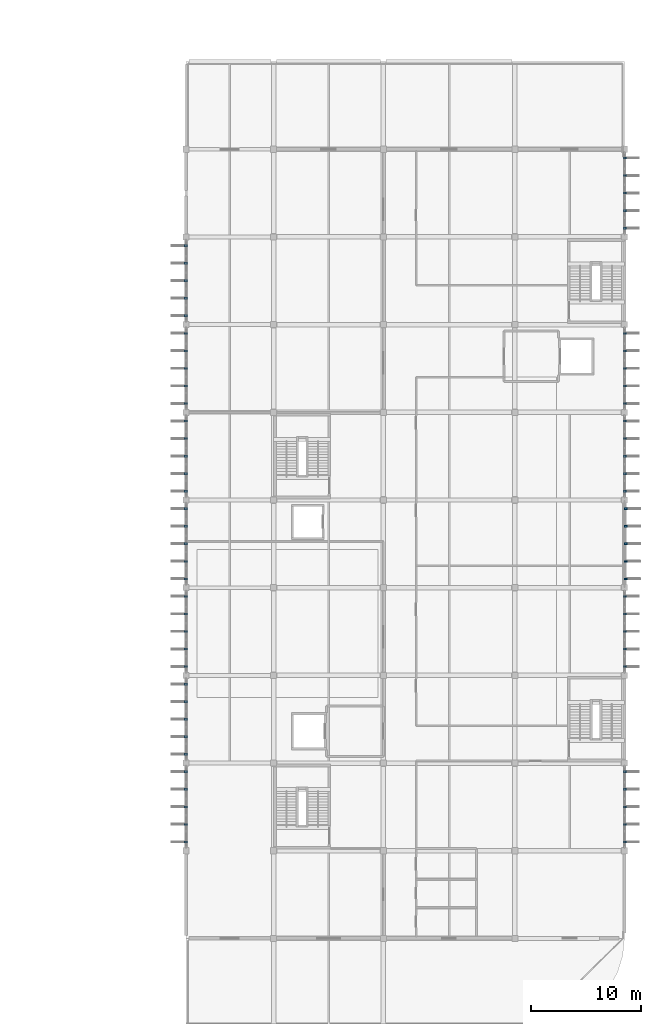
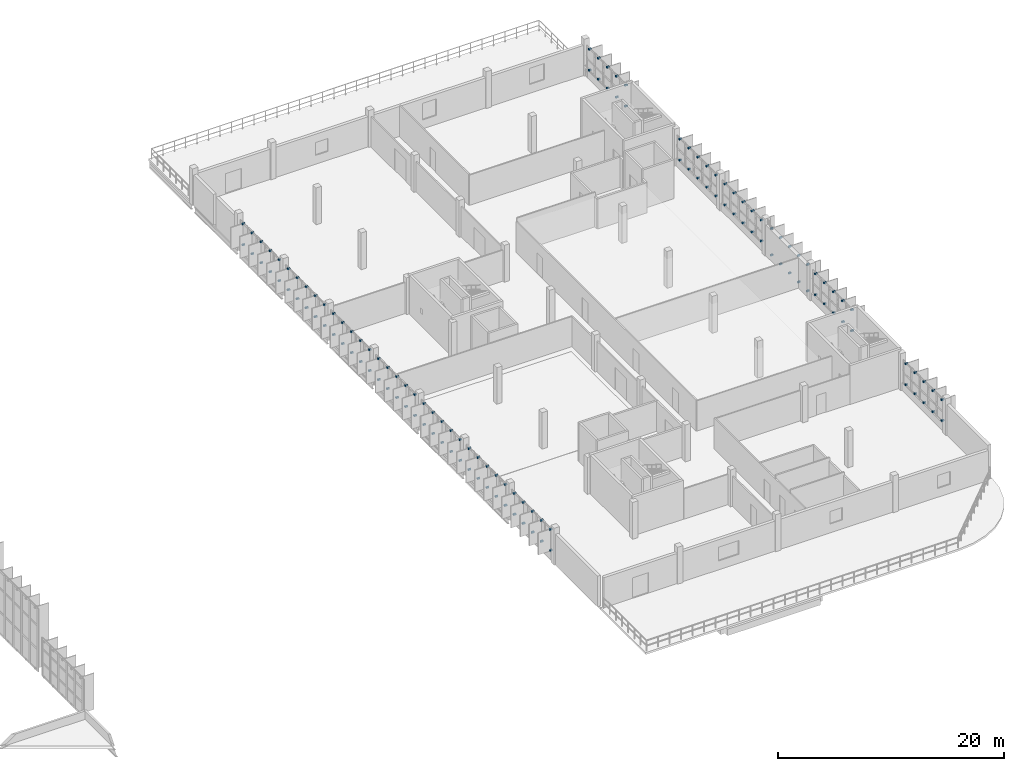
# One storey, part 33 of 38: 130 discrete accessories.
"""IFC4 building model written with IfcOpenShell, lengths in metres."""

from ifc_helpers import new_model, si_unit, direction, frame, origin, origin_2d, place, context, subcontext, project, spatial, rectangle, extrude, material, type_object, element, save


model = new_model("IFC4")

# Units and contexts
model_context = context("Model", 3, precision=1e-05, world=origin(), true_north=direction((0.0, 1.0)))
body_context = subcontext(model_context, "Body", "Model", "MODEL_VIEW")
ifc_project = project(units=[si_unit("LENGTHUNIT", "METRE"), si_unit("AREAUNIT", "SQUARE_METRE"), si_unit("VOLUMEUNIT", "CUBIC_METRE"), si_unit("PLANEANGLEUNIT", "RADIAN"), si_unit("MASSUNIT", "GRAM", prefix="KILO")], contexts=[model_context])

# Site, building, storey
site_placement = place(None, origin())
site = spatial("IfcSite", under=ifc_project, at=site_placement, CompositionType="ELEMENT")
building_placement = place(site_placement, origin())
building = spatial("IfcBuilding", under=site, at=building_placement, Name="Drelvana Railside Aquatics Centre", CompositionType="ELEMENT")
storey_placement = place(building_placement, frame((0.0, 0.0, 14.39990234375)))
storey = spatial("IfcBuildingStorey", under=building, at=storey_placement, Name="L03", CompositionType="ELEMENT", Elevation=14.39990234375)

# Discrete accessories
ifc_material = material(Name="Stainless steel 316 facade bracket", Category="steel")
discrete_accessory_type = type_object("IfcDiscreteAccessoryType", Name="ACC-BRACKET-FIN", PredefinedType="BRACKET", material=ifc_material)
for number, where, z_axis, x_axis, name in (
    (1, (143.989990234375, 24.800048828125, 0.81494140625), (0.0, 0.0, 1.0), (-1.0, 0.0, 0.0), "Shading fin bracket BK-1125"),
    (2, (143.989990234375, 24.800048828125, 3.0751953125), (0.0, 0.0, 1.0), (-1.0, 0.0, 0.0), "Shading fin bracket BK-1126"),
    (3, (143.989990234375, 26.39990234375, 0.81494140625), (0.0, 0.0, 1.0), (-1.0, 0.0, 0.0), "Shading fin bracket BK-1127"),
    (4, (143.989990234375, 26.39990234375, 3.0751953125), (0.0, 0.0, 1.0), (-1.0, 0.0, 0.0), "Shading fin bracket BK-1128"),
    (5, (143.989990234375, 28.0, 0.81494140625), (0.0, 0.0, 1.0), (-1.0, 0.0, 0.0), "Shading fin bracket BK-1129"),
    (6, (143.989990234375, 28.0, 3.0751953125), (0.0, 0.0, 1.0), (-1.0, 0.0, 0.0), "Shading fin bracket BK-1130"),
    (7, (143.989990234375, 29.60009765625, 0.81494140625), (0.0, 0.0, 1.0), (-1.0, 0.0, 0.0), "Shading fin bracket BK-1131"),
    (8, (143.989990234375, 29.60009765625, 3.0751953125), (0.0, 0.0, 1.0), (-1.0, 0.0, 0.0), "Shading fin bracket BK-1132"),
    (9, (143.989990234375, 31.199951171875, 0.81494140625), (0.0, 0.0, 1.0), (-1.0, 0.0, 0.0), "Shading fin bracket BK-1133"),
    (10, (143.989990234375, 31.199951171875, 3.0751953125), (0.0, 0.0, 1.0), (-1.0, 0.0, 0.0), "Shading fin bracket BK-1134"),
    (11, (143.989990234375, 32.800048828125, 0.81494140625), (0.0, 0.0, 1.0), (-1.0, 0.0, 0.0), "Shading fin bracket BK-1165"),
    (12, (143.989990234375, 32.800048828125, 3.0751953125), (0.0, 0.0, 1.0), (-1.0, 0.0, 0.0), "Shading fin bracket BK-1166"),
    (13, (143.989990234375, 34.39990234375, 0.81494140625), (0.0, 0.0, 1.0), (-1.0, 0.0, 0.0), "Shading fin bracket BK-1167"),
    (14, (143.989990234375, 34.39990234375, 3.0751953125), (0.0, 0.0, 1.0), (-1.0, 0.0, 0.0), "Shading fin bracket BK-1168"),
    (15, (143.989990234375, 36.0, 0.81494140625), (0.0, 0.0, 1.0), (-1.0, 0.0, 0.0), "Shading fin bracket BK-1169"),
    (16, (143.989990234375, 36.0, 3.0751953125), (0.0, 0.0, 1.0), (-1.0, 0.0, 0.0), "Shading fin bracket BK-1170"),
    (17, (143.989990234375, 37.60009765625, 0.81494140625), (0.0, 0.0, 1.0), (-1.0, 0.0, 0.0), "Shading fin bracket BK-1171"),
    (18, (143.989990234375, 37.60009765625, 3.0751953125), (0.0, 0.0, 1.0), (-1.0, 0.0, 0.0), "Shading fin bracket BK-1172"),
    (19, (143.989990234375, 39.199951171875, 0.81494140625), (0.0, 0.0, 1.0), (-1.0, 0.0, 0.0), "Shading fin bracket BK-1173"),
    (20, (143.989990234375, 39.199951171875, 3.0751953125), (0.0, 0.0, 1.0), (-1.0, 0.0, 0.0), "Shading fin bracket BK-1174"),
    (21, (143.989990234375, 40.800048828125, 0.81494140625), (0.0, 0.0, 1.0), (-1.0, 0.0, 0.0), "Shading fin bracket BK-1205"),
    (22, (143.989990234375, 40.800048828125, 3.0751953125), (0.0, 0.0, 1.0), (-1.0, 0.0, 0.0), "Shading fin bracket BK-1206"),
    (23, (143.989990234375, 42.39990234375, 0.81494140625), (0.0, 0.0, 1.0), (-1.0, 0.0, 0.0), "Shading fin bracket BK-1207"),
    (24, (143.989990234375, 42.39990234375, 3.0751953125), (0.0, 0.0, 1.0), (-1.0, 0.0, 0.0), "Shading fin bracket BK-1208"),
    (25, (143.989990234375, 44.0, 0.81494140625), (0.0, 0.0, 1.0), (-1.0, 0.0, 0.0), "Shading fin bracket BK-1209"),
    (26, (143.989990234375, 44.0, 3.0751953125), (0.0, 0.0, 1.0), (-1.0, 0.0, 0.0), "Shading fin bracket BK-1210"),
    (27, (143.989990234375, 45.60009765625, 0.81494140625), (0.0, 0.0, 1.0), (-1.0, 0.0, 0.0), "Shading fin bracket BK-1211"),
    (28, (143.989990234375, 45.60009765625, 3.0751953125), (0.0, 0.0, 1.0), (-1.0, 0.0, 0.0), "Shading fin bracket BK-1212"),
    (29, (143.989990234375, 47.199951171875, 0.81494140625), (0.0, 0.0, 1.0), (-1.0, 0.0, 0.0), "Shading fin bracket BK-1213"),
    (30, (143.989990234375, 47.199951171875, 3.0751953125), (0.0, 0.0, 1.0), (-1.0, 0.0, 0.0), "Shading fin bracket BK-1214"),
    (31, (143.989990234375, 48.800048828125, 0.81494140625), (0.0, 0.0, 1.0), (-1.0, 0.0, 0.0), "Shading fin bracket BK-1245"),
    (32, (143.989990234375, 48.800048828125, 3.0751953125), (0.0, 0.0, 1.0), (-1.0, 0.0, 0.0), "Shading fin bracket BK-1246"),
    (33, (143.989990234375, 50.39990234375, 0.81494140625), (0.0, 0.0, 1.0), (-1.0, 0.0, 0.0), "Shading fin bracket BK-1247"),
    (34, (143.989990234375, 50.39990234375, 3.0751953125), (0.0, 0.0, 1.0), (-1.0, 0.0, 0.0), "Shading fin bracket BK-1248"),
    (35, (143.989990234375, 52.0, 0.81494140625), (0.0, 0.0, 1.0), (-1.0, 0.0, 0.0), "Shading fin bracket BK-1249"),
    (36, (143.989990234375, 52.0, 3.0751953125), (0.0, 0.0, 1.0), (-1.0, 0.0, 0.0), "Shading fin bracket BK-1250"),
    (37, (143.989990234375, 53.60009765625, 0.81494140625), (0.0, 0.0, 1.0), (-1.0, 0.0, 0.0), "Shading fin bracket BK-1251"),
    (38, (143.989990234375, 53.60009765625, 3.0751953125), (0.0, 0.0, 1.0), (-1.0, 0.0, 0.0), "Shading fin bracket BK-1252"),
    (39, (143.989990234375, 55.199951171875, 0.81494140625), (0.0, 0.0, 1.0), (-1.0, 0.0, 0.0), "Shading fin bracket BK-1253"),
    (40, (143.989990234375, 55.199951171875, 3.0751953125), (0.0, 0.0, 1.0), (-1.0, 0.0, 0.0), "Shading fin bracket BK-1254"),
    (41, (143.989990234375, 56.800048828125, 0.81494140625), (0.0, 0.0, 1.0), (-1.0, 0.0, 0.0), "Shading fin bracket BK-1275"),
    (42, (143.989990234375, 56.800048828125, 3.0751953125), (0.0, 0.0, 1.0), (-1.0, 0.0, 0.0), "Shading fin bracket BK-1276"),
    (43, (143.989990234375, 58.39990234375, 0.81494140625), (0.0, 0.0, 1.0), (-1.0, 0.0, 0.0), "Shading fin bracket BK-1277"),
    (44, (143.989990234375, 58.39990234375, 3.0751953125), (0.0, 0.0, 1.0), (-1.0, 0.0, 0.0), "Shading fin bracket BK-1278"),
    (45, (143.989990234375, 60.0, 0.81494140625), (0.0, 0.0, 1.0), (-1.0, 0.0, 0.0), "Shading fin bracket BK-1279"),
    (46, (143.989990234375, 60.0, 3.0751953125), (0.0, 0.0, 1.0), (-1.0, 0.0, 0.0), "Shading fin bracket BK-1280"),
    (47, (143.989990234375, 61.60009765625, 0.81494140625), (0.0, 0.0, 1.0), (-1.0, 0.0, 0.0), "Shading fin bracket BK-1281"),
    (48, (143.989990234375, 61.60009765625, 3.0751953125), (0.0, 0.0, 1.0), (-1.0, 0.0, 0.0), "Shading fin bracket BK-1282"),
    (49, (143.989990234375, 63.199951171875, 0.81494140625), (0.0, 0.0, 1.0), (-1.0, 0.0, 0.0), "Shading fin bracket BK-1283"),
    (50, (143.989990234375, 63.199951171875, 3.0751953125), (0.0, 0.0, 1.0), (-1.0, 0.0, 0.0), "Shading fin bracket BK-1284"),
    (51, (143.989990234375, 64.800048828125, 0.81494140625), (0.0, 0.0, 1.0), (-1.0, 0.0, 0.0), "Shading fin bracket BK-1315"),
    (52, (143.989990234375, 64.800048828125, 3.0751953125), (0.0, 0.0, 1.0), (-1.0, 0.0, 0.0), "Shading fin bracket BK-1316"),
    (53, (143.989990234375, 66.39990234375, 0.81494140625), (0.0, 0.0, 1.0), (-1.0, 0.0, 0.0), "Shading fin bracket BK-1317"),
    (54, (143.989990234375, 66.39990234375, 3.0751953125), (0.0, 0.0, 1.0), (-1.0, 0.0, 0.0), "Shading fin bracket BK-1318"),
    (55, (143.989990234375, 68.0, 0.81494140625), (0.0, 0.0, 1.0), (-1.0, 0.0, 0.0), "Shading fin bracket BK-1319"),
    (56, (143.989990234375, 68.0, 3.0751953125), (0.0, 0.0, 1.0), (-1.0, 0.0, 0.0), "Shading fin bracket BK-1320"),
    (57, (143.989990234375, 69.60009765625, 0.81494140625), (0.0, 0.0, 1.0), (-1.0, 0.0, 0.0), "Shading fin bracket BK-1321"),
    (58, (143.989990234375, 69.60009765625, 3.0751953125), (0.0, 0.0, 1.0), (-1.0, 0.0, 0.0), "Shading fin bracket BK-1322"),
    (59, (143.989990234375, 71.199951171875, 0.81494140625), (0.0, 0.0, 1.0), (-1.0, 0.0, 0.0), "Shading fin bracket BK-1323"),
    (60, (143.989990234375, 71.199951171875, 3.0751953125), (0.0, 0.0, 1.0), (-1.0, 0.0, 0.0), "Shading fin bracket BK-1324"),
    (61, (143.989990234375, 72.800048828125, 0.81494140625), (0.0, 0.0, 1.0), (-1.0, 0.0, 0.0), "Shading fin bracket BK-1355"),
    (62, (143.989990234375, 72.800048828125, 3.0751953125), (0.0, 0.0, 1.0), (-1.0, 0.0, 0.0), "Shading fin bracket BK-1356"),
    (63, (143.989990234375, 74.39990234375, 0.81494140625), (0.0, 0.0, 1.0), (-1.0, 0.0, 0.0), "Shading fin bracket BK-1357"),
    (64, (143.989990234375, 74.39990234375, 3.0751953125), (0.0, 0.0, 1.0), (-1.0, 0.0, 0.0), "Shading fin bracket BK-1358"),
    (65, (143.989990234375, 76.0, 0.81494140625), (0.0, 0.0, 1.0), (-1.0, 0.0, 0.0), "Shading fin bracket BK-1359"),
    (66, (143.989990234375, 76.0, 3.0751953125), (0.0, 0.0, 1.0), (-1.0, 0.0, 0.0), "Shading fin bracket BK-1360"),
    (67, (143.989990234375, 77.60009765625, 0.81494140625), (0.0, 0.0, 1.0), (-1.0, 0.0, 0.0), "Shading fin bracket BK-1361"),
    (68, (143.989990234375, 77.60009765625, 3.0751953125), (0.0, 0.0, 1.0), (-1.0, 0.0, 0.0), "Shading fin bracket BK-1362"),
    (69, (143.989990234375, 79.199951171875, 0.81494140625), (0.0, 0.0, 1.0), (-1.0, 0.0, 0.0), "Shading fin bracket BK-1363"),
    (70, (143.989990234375, 79.199951171875, 3.0751953125), (0.0, 0.0, 1.0), (-1.0, 0.0, 0.0), "Shading fin bracket BK-1364"),
    (71, (184.010009765625, 24.800048828125, 0.81494140625), (0.0, 0.0, 1.0), (1.0, 0.0, 0.0), "Shading fin bracket BK-1395"),
    (72, (184.010009765625, 24.800048828125, 3.0751953125), (0.0, 0.0, 1.0), (1.0, 0.0, 0.0), "Shading fin bracket BK-1396"),
    (73, (184.010009765625, 26.39990234375, 0.81494140625), (0.0, 0.0, 1.0), (1.0, 0.0, 0.0), "Shading fin bracket BK-1397"),
    (74, (184.010009765625, 26.39990234375, 3.0751953125), (0.0, 0.0, 1.0), (1.0, 0.0, 0.0), "Shading fin bracket BK-1398"),
    (75, (184.010009765625, 28.0, 0.81494140625), (0.0, 0.0, 1.0), (1.0, 0.0, 0.0), "Shading fin bracket BK-1399"),
    (76, (184.010009765625, 28.0, 3.0751953125), (0.0, 0.0, 1.0), (1.0, 0.0, 0.0), "Shading fin bracket BK-1400"),
    (77, (184.010009765625, 29.60009765625, 0.81494140625), (0.0, 0.0, 1.0), (1.0, 0.0, 0.0), "Shading fin bracket BK-1401"),
    (78, (184.010009765625, 29.60009765625, 3.0751953125), (0.0, 0.0, 1.0), (1.0, 0.0, 0.0), "Shading fin bracket BK-1402"),
    (79, (184.010009765625, 31.199951171875, 0.81494140625), (0.0, 0.0, 1.0), (1.0, 0.0, 0.0), "Shading fin bracket BK-1403"),
    (80, (184.010009765625, 31.199951171875, 3.0751953125), (0.0, 0.0, 1.0), (1.0, 0.0, 0.0), "Shading fin bracket BK-1404"),
    (81, (184.010009765625, 40.800048828125, 0.81494140625), (0.0, 0.0, 1.0), (1.0, 0.0, 0.0), "Shading fin bracket BK-1445"),
    (82, (184.010009765625, 40.800048828125, 3.0751953125), (0.0, 0.0, 1.0), (1.0, 0.0, 0.0), "Shading fin bracket BK-1446"),
    (83, (184.010009765625, 42.39990234375, 0.81494140625), (0.0, 0.0, 1.0), (1.0, 0.0, 0.0), "Shading fin bracket BK-1447"),
    (84, (184.010009765625, 42.39990234375, 3.0751953125), (0.0, 0.0, 1.0), (1.0, 0.0, 0.0), "Shading fin bracket BK-1448"),
    (85, (184.010009765625, 44.0, 0.81494140625), (0.0, 0.0, 1.0), (1.0, 0.0, 0.0), "Shading fin bracket BK-1449"),
    (86, (184.010009765625, 44.0, 3.0751953125), (0.0, 0.0, 1.0), (1.0, 0.0, 0.0), "Shading fin bracket BK-1450"),
    (87, (184.010009765625, 45.60009765625, 0.81494140625), (0.0, 0.0, 1.0), (1.0, 0.0, 0.0), "Shading fin bracket BK-1451"),
    (88, (184.010009765625, 45.60009765625, 3.0751953125), (0.0, 0.0, 1.0), (1.0, 0.0, 0.0), "Shading fin bracket BK-1452"),
    (89, (184.010009765625, 47.199951171875, 0.81494140625), (0.0, 0.0, 1.0), (1.0, 0.0, 0.0), "Shading fin bracket BK-1453"),
    (90, (184.010009765625, 47.199951171875, 3.0751953125), (0.0, 0.0, 1.0), (1.0, 0.0, 0.0), "Shading fin bracket BK-1454"),
    (91, (184.114990234375, 48.800048828125, 0.21533203125), (0.0, 0.0, 1.0), (1.0, 0.0, 0.0), "Shading fin bracket BK-1495"),
    (92, (184.114990234375, 48.800048828125, 3.0751953125), (0.0, 0.0, 1.0), (1.0, 0.0, 0.0), "Shading fin bracket BK-1496"),
    (93, (184.114990234375, 50.39990234375, 0.21533203125), (0.0, 0.0, 1.0), (1.0, 0.0, 0.0), "Shading fin bracket BK-1497"),
    (94, (184.114990234375, 50.39990234375, 3.0751953125), (0.0, 0.0, 1.0), (1.0, 0.0, 0.0), "Shading fin bracket BK-1498"),
    (95, (184.114990234375, 52.0, 0.21533203125), (0.0, 0.0, 1.0), (1.0, 0.0, 0.0), "Shading fin bracket BK-1499"),
    (96, (184.114990234375, 52.0, 3.0751953125), (0.0, 0.0, 1.0), (1.0, 0.0, 0.0), "Shading fin bracket BK-1500"),
    (97, (184.114990234375, 53.60009765625, 0.21533203125), (0.0, 0.0, 1.0), (1.0, 0.0, 0.0), "Shading fin bracket BK-1501"),
    (98, (184.114990234375, 53.60009765625, 3.0751953125), (0.0, 0.0, 1.0), (1.0, 0.0, 0.0), "Shading fin bracket BK-1502"),
    (99, (184.114990234375, 55.199951171875, 0.21533203125), (0.0, 0.0, 1.0), (1.0, 0.0, 0.0), "Shading fin bracket BK-1503"),
    (100, (184.114990234375, 55.199951171875, 3.0751953125), (0.0, 0.0, 1.0), (1.0, 0.0, 0.0), "Shading fin bracket BK-1504"),
    (101, (184.010009765625, 56.800048828125, 0.81494140625), (0.0, 0.0, 1.0), (1.0, 0.0, 0.0), "Shading fin bracket BK-1545"),
    (102, (184.010009765625, 56.800048828125, 3.0751953125), (0.0, 0.0, 1.0), (1.0, 0.0, 0.0), "Shading fin bracket BK-1546"),
    (103, (184.010009765625, 58.39990234375, 0.81494140625), (0.0, 0.0, 1.0), (1.0, 0.0, 0.0), "Shading fin bracket BK-1547"),
    (104, (184.010009765625, 58.39990234375, 3.0751953125), (0.0, 0.0, 1.0), (1.0, 0.0, 0.0), "Shading fin bracket BK-1548"),
    (105, (184.010009765625, 60.0, 0.81494140625), (0.0, 0.0, 1.0), (1.0, 0.0, 0.0), "Shading fin bracket BK-1549"),
    (106, (184.010009765625, 60.0, 3.0751953125), (0.0, 0.0, 1.0), (1.0, 0.0, 0.0), "Shading fin bracket BK-1550"),
    (107, (184.010009765625, 61.60009765625, 0.81494140625), (0.0, 0.0, 1.0), (1.0, 0.0, 0.0), "Shading fin bracket BK-1551"),
    (108, (184.010009765625, 61.60009765625, 3.0751953125), (0.0, 0.0, 1.0), (1.0, 0.0, 0.0), "Shading fin bracket BK-1552"),
    (109, (184.010009765625, 63.199951171875, 0.81494140625), (0.0, 0.0, 1.0), (1.0, 0.0, 0.0), "Shading fin bracket BK-1553"),
    (110, (184.010009765625, 63.199951171875, 3.0751953125), (0.0, 0.0, 1.0), (1.0, 0.0, 0.0), "Shading fin bracket BK-1554"),
    (111, (184.010009765625, 64.800048828125, 0.81494140625), (0.0, 0.0, 1.0), (1.0, 0.0, 0.0), "Shading fin bracket BK-1595"),
    (112, (184.010009765625, 64.800048828125, 3.0751953125), (0.0, 0.0, 1.0), (1.0, 0.0, 0.0), "Shading fin bracket BK-1596"),
    (113, (184.010009765625, 66.39990234375, 0.81494140625), (0.0, 0.0, 1.0), (1.0, 0.0, 0.0), "Shading fin bracket BK-1597"),
    (114, (184.010009765625, 66.39990234375, 3.0751953125), (0.0, 0.0, 1.0), (1.0, 0.0, 0.0), "Shading fin bracket BK-1598"),
    (115, (184.010009765625, 68.0, 0.81494140625), (0.0, 0.0, 1.0), (1.0, 0.0, 0.0), "Shading fin bracket BK-1599"),
    (116, (184.010009765625, 68.0, 3.0751953125), (0.0, 0.0, 1.0), (1.0, 0.0, 0.0), "Shading fin bracket BK-1600"),
    (117, (184.010009765625, 69.60009765625, 0.81494140625), (0.0, 0.0, 1.0), (1.0, 0.0, 0.0), "Shading fin bracket BK-1601"),
    (118, (184.010009765625, 69.60009765625, 3.0751953125), (0.0, 0.0, 1.0), (1.0, 0.0, 0.0), "Shading fin bracket BK-1602"),
    (119, (184.010009765625, 71.199951171875, 0.81494140625), (0.0, 0.0, 1.0), (1.0, 0.0, 0.0), "Shading fin bracket BK-1603"),
    (120, (184.010009765625, 71.199951171875, 3.0751953125), (0.0, 0.0, 1.0), (1.0, 0.0, 0.0), "Shading fin bracket BK-1604"),
    (121, (184.010009765625, 80.800048828125, 0.81494140625), (0.0, 0.0, 1.0), (1.0, 0.0, 0.0), "Shading fin bracket BK-1645"),
    (122, (184.010009765625, 80.800048828125, 3.0751953125), (0.0, 0.0, 1.0), (1.0, 0.0, 0.0), "Shading fin bracket BK-1646"),
    (123, (184.010009765625, 82.39990234375, 0.81494140625), (0.0, 0.0, 1.0), (1.0, 0.0, 0.0), "Shading fin bracket BK-1647"),
    (124, (184.010009765625, 82.39990234375, 3.0751953125), (0.0, 0.0, 1.0), (1.0, 0.0, 0.0), "Shading fin bracket BK-1648"),
    (125, (184.010009765625, 84.0, 0.81494140625), (0.0, 0.0, 1.0), (1.0, 0.0, 0.0), "Shading fin bracket BK-1649"),
    (126, (184.010009765625, 84.0, 3.0751953125), (0.0, 0.0, 1.0), (1.0, 0.0, 0.0), "Shading fin bracket BK-1650"),
    (127, (184.010009765625, 85.60009765625, 0.81494140625), (0.0, 0.0, 1.0), (1.0, 0.0, 0.0), "Shading fin bracket BK-1651"),
    (128, (184.010009765625, 85.60009765625, 3.0751953125), (0.0, 0.0, 1.0), (1.0, 0.0, 0.0), "Shading fin bracket BK-1652"),
    (129, (184.010009765625, 87.199951171875, 0.81494140625), (0.0, 0.0, 1.0), (1.0, 0.0, 0.0), "Shading fin bracket BK-1653"),
    (130, (184.010009765625, 87.199951171875, 3.0751953125), (0.0, 0.0, 1.0), (1.0, 0.0, 0.0), "Shading fin bracket BK-1654"),
):
    element("IfcDiscreteAccessory", number, at=place(storey_placement, frame(where, z_axis=z_axis, x_axis=x_axis)), inside=storey, type_object=discrete_accessory_type, Name=name, PredefinedType="BRACKET", context=body_context, shape_type="SweptSolid", body=[
        extrude(rectangle(XDim=0.280029296875, YDim=0.159912109375, at=origin_2d()), origin(), (0.0, 0.0, 1.0), 0.159912109375),
    ])

save(model, "model.ifc")
